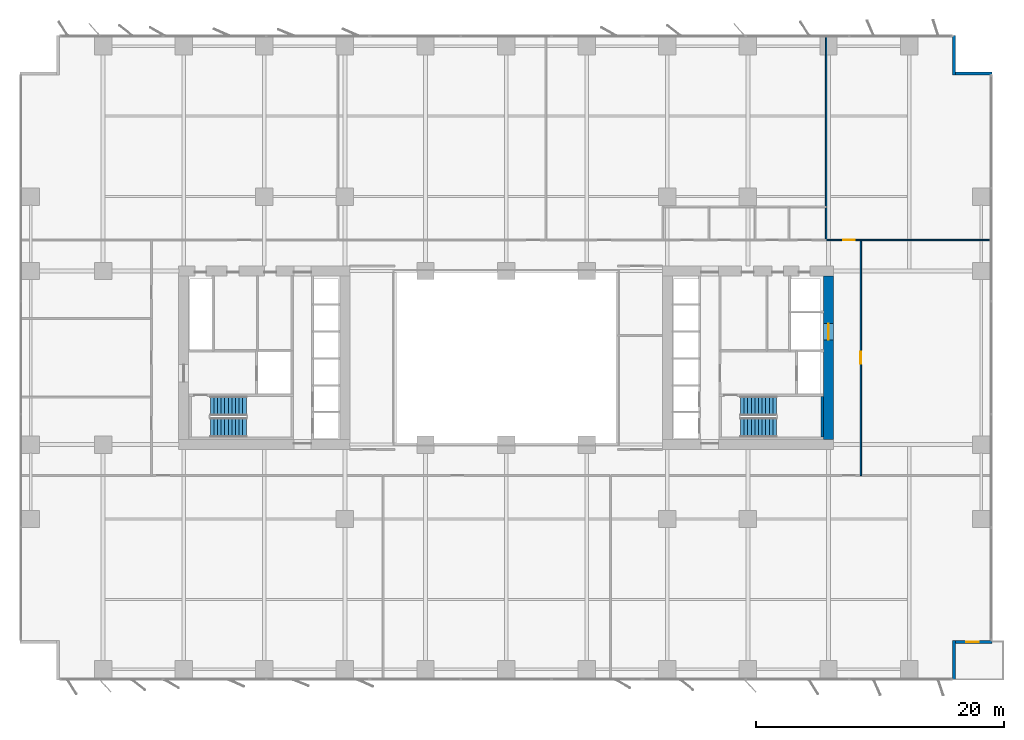
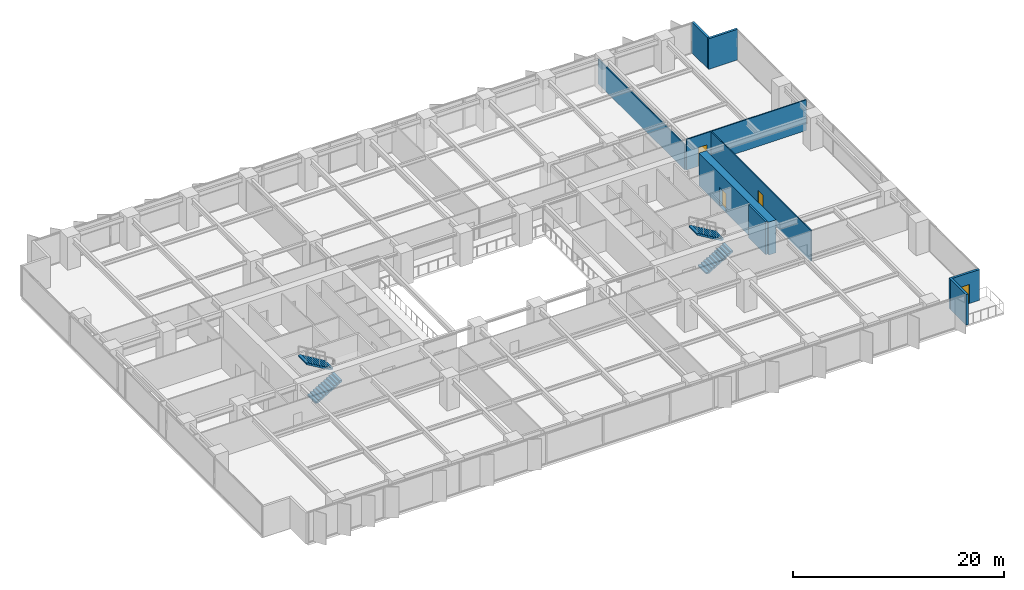
# One storey, part 16 of 20: 9 walls, 4 doors, 4 stair flights, 4 openings, 2 elements without a shape of their own.
"""IFC4 building model written with IfcOpenShell, lengths in metres."""

from ifc_helpers import new_model, si_unit, direction, frame, frame_2d, origin, place, context, subcontext, project, spatial, polyline, rectangle, outline, extrude, material, layer, layer_set, type_object, element, fill, aggregate, save


model = new_model("IFC4")

# Units and contexts
model_context = context("Model", 3, precision=1e-05, world=origin(), true_north=direction((0.0, 1.0)))
body_context = subcontext(model_context, "Body", "Model", "MODEL_VIEW")
ifc_project = project(units=[si_unit("LENGTHUNIT", "METRE"), si_unit("AREAUNIT", "SQUARE_METRE"), si_unit("VOLUMEUNIT", "CUBIC_METRE"), si_unit("PLANEANGLEUNIT", "RADIAN"), si_unit("MASSUNIT", "GRAM", prefix="KILO")], contexts=[model_context])

# Site, building, storey
site_placement = place(None, origin())
site = spatial("IfcSite", under=ifc_project, at=site_placement, CompositionType="ELEMENT")
building_placement = place(site_placement, origin())
building = spatial("IfcBuilding", under=site, at=building_placement, Name="Putna Gate Headquarters", CompositionType="ELEMENT")
storey_placement = place(building_placement, frame((0.0, 0.0, 50.60009765625)))
storey = spatial("IfcBuildingStorey", under=building, at=storey_placement, Name="L11", CompositionType="ELEMENT", Elevation=50.60009765625)

# Wall, opening, door
ifc_material_1 = material(Name="Concrete C60/75", Category="concrete")
ifc_layer_1 = layer(ifc_material_1, 0.800048828125)
ifc_layer_set_1 = layer_set([ifc_layer_1], Name="Concrete C60/75")
wall_type_1 = type_object("IfcWallType", Name="WALL-CORE-800", PredefinedType="SHEAR", material=ifc_layer_set_1)
wall_1_placement = place(storey_placement, frame((65.0, 19.39990234375, 0.0), z_axis=(0.0, 0.0, 1.0), x_axis=(0.0, 1.0, 0.0)))
wall_1 = element("IfcWall", 1, at=wall_1_placement, inside=storey, type_object=wall_type_1, Name="L11 EC Split Core Shear Wall E", PredefinedType="SHEAR", context=body_context, shape_type="SweptSolid", body=[
    extrude(rectangle(XDim=13.2001953125, YDim=0.800048828125, at=frame_2d((6.60009765625, 0.0))), origin(), (0.0, 0.0, 1.0), 3.7998046875),
])
opening_1_placement = place(wall_1_placement, frame((8.050048828125, 0.0, 0.0)))
opening_1 = element("IfcOpeningElement", 2, at=opening_1_placement, cuts=wall_1, Name="Opening LD-2", PredefinedType="OPENING", context=body_context, shape_type="SweptSolid", body=[
    extrude(rectangle(XDim=1.300048828125, YDim=2.199951171875, at=frame_2d((0.64990234375, 1.10009765625))), frame((0.0, 0.409912109375, 0.0), z_axis=(0.0, -1.0, 0.0), x_axis=(1.0, 0.0, 0.0)), (0.0, 0.0, 1.0), 0.820068359375),
])
ifc_material_2 = material(Name="Heavy-duty goods lift sliding landing door")
door_type_1 = type_object("IfcDoorType", Name="DOOR-LIFT-1300", OperationType="DOUBLE_DOOR_SLIDING", PredefinedType="DOOR", material=ifc_material_2)
door_1_placement = place(opening_1_placement, origin())
door_1 = element("IfcDoor", 3, at=door_1_placement, inside=storey, type_object=door_type_1, Name="L11 Goods Lift Landing Door LD-15", OperationType="DOUBLE_DOOR_SLIDING", OverallHeight=2.199951171875, OverallWidth=1.300048828125, PredefinedType="DOOR", context=body_context, shape_type="SweptSolid", body=[
    extrude(rectangle(XDim=1.300048828125, YDim=2.199951171875, at=frame_2d((0.64990234375, 1.10009765625))), frame((0.0, 0.02490234375, 0.0), z_axis=(0.0, -1.0, 0.0), x_axis=(1.0, 0.0, 0.0)), (0.0, 0.0, 1.0), 0.050048828125),
])
fill(opening_1, door_1)

# Walls
ifc_material_3 = material(Name="Precast concrete C40/50", Category="concrete")
ifc_layer_2 = layer(ifc_material_3, 0.239990234375)
ifc_layer_set_2 = layer_set([ifc_layer_2], Name="Precast concrete C40/50")
wall_type_2 = type_object("IfcWallType", Name="WALL-EXT-TERR-240", PredefinedType="STANDARD", material=ifc_layer_set_2)
for number, where, z_axis, x_axis, name in (
    (4, (75.1201171875, 52.0, 0.0), (0.0, 0.0, 1.0), (0.0, -1.0, 0.0), "L11 Corner Notch Return Wall NE-V"),
    (5, (75.0, 48.919921875, 0.0), (0.0, 0.0, 1.0), (1.0, 0.0, 0.0), "L11 Corner Notch Return Wall NE-H"),
    (6, (75.1201171875, 3.199951171875, 0.0), (0.0, 0.0, 1.0), (0.0, -1.0, 0.0), "L11 Corner Notch Return Wall SE-V"),
):
    element("IfcWall", number, at=place(storey_placement, frame(where, z_axis=z_axis, x_axis=x_axis)), inside=storey, type_object=wall_type_2, Name=name, PredefinedType="STANDARD", context=body_context, shape_type="SweptSolid", body=[
        extrude(rectangle(XDim=3.199951171875, YDim=0.239990234375, at=frame_2d((1.60009765625, 0.0))), origin(), (0.0, 0.0, 1.0), 3.5498046875),
    ])

# Wall, opening, door
wall_2_placement = place(storey_placement, frame((78.199951171875, 3.080078125, 0.0), z_axis=(0.0, 0.0, 1.0), x_axis=(-1.0, 0.0, 0.0)))
wall_2 = element("IfcWall", 7, at=wall_2_placement, inside=storey, type_object=wall_type_2, Name="L11 Corner Notch Return Wall SE-H", PredefinedType="STANDARD", context=body_context, shape_type="SweptSolid", body=[
    extrude(rectangle(XDim=3.199951171875, YDim=0.239990234375, at=frame_2d((1.60009765625, 0.0))), origin(), (0.0, 0.0, 1.0), 3.5498046875),
])
opening_2_placement = place(wall_2_placement, frame((1.10009765625, 0.0, 0.0)))
opening_2 = element("IfcOpeningElement", 8, at=opening_2_placement, cuts=wall_2, Name="Opening TRD-1", PredefinedType="OPENING", context=body_context, shape_type="SweptSolid", body=[
    extrude(rectangle(XDim=1.0, YDim=2.199951171875, at=frame_2d((0.5, 1.10009765625))), frame((0.0, 0.1298828125, 0.0), z_axis=(0.0, -1.0, 0.0), x_axis=(1.0, 0.0, 0.0)), (0.0, 0.0, 1.0), 0.260009765625),
])
ifc_material_4 = material(Name="Thermally broken bronze glazed terrace door")
door_type_2 = type_object("IfcDoorType", Name="DOOR-TERR-EXT-1000", OperationType="NOTDEFINED", PredefinedType="DOOR", material=ifc_material_4)
door_2_placement = place(opening_2_placement, origin())
door_2 = element("IfcDoor", 9, at=door_2_placement, inside=storey, type_object=door_type_2, Name="L11 Spiral Sky Terrace Door SE", OperationType="SINGLE_SWING_RIGHT", OverallHeight=2.199951171875, OverallWidth=1.0, PredefinedType="DOOR", context=body_context, shape_type="SweptSolid", body=[
    extrude(rectangle(XDim=1.0, YDim=2.199951171875, at=frame_2d((0.5, 1.10009765625))), frame((0.0, 0.02490234375, 0.0), z_axis=(0.0, -1.0, 0.0), x_axis=(1.0, 0.0, 0.0)), (0.0, 0.0, 1.0), 0.050048828125),
])
fill(opening_2, door_2)

# Wall
ifc_material_5 = material(Name="Acoustic gypsum board on metal stud")
ifc_layer_3 = layer(ifc_material_5, 0.1201171875)
ifc_layer_set_3 = layer_set([ifc_layer_3], Name="Acoustic gypsum board on metal stud")
wall_type_3 = type_object("IfcWallType", Name="WALL-PART-120", PredefinedType="PARTITIONING", material=ifc_layer_set_3)
wall_3_placement = place(storey_placement, frame((64.800048828125, 35.56005859375, 0.0), z_axis=(0.0, 0.0, 1.0), x_axis=(0.0, 1.0, 0.0)))
element("IfcWall", 10, at=wall_3_placement, inside=storey, type_object=wall_type_3, Name="L11 Interior Wall PART-L11-NB-DIV-03", PredefinedType="PARTITIONING", context=body_context, shape_type="SweptSolid", body=[
    extrude(rectangle(XDim=16.419921875, YDim=0.1201171875, at=frame_2d((8.2099609375, 0.0))), origin(), (0.0, 0.0, 1.0), 2.89990234375),
])

# Wall, opening, door
ifc_material_6 = material(Name="Fire-rated gypsum board on metal stud")
ifc_layer_4 = layer(ifc_material_6, 0.1201171875)
ifc_layer_set_4 = layer_set([ifc_layer_4], Name="Fire-rated gypsum board on metal stud")
wall_type_4 = type_object("IfcWallType", Name="WALL-PART-120-RATED", PredefinedType="PARTITIONING", material=ifc_layer_set_4)
wall_4_placement = place(storey_placement, frame((64.860107421875, 35.5, 0.0), z_axis=(0.0, 0.0, 1.0), x_axis=(1.0, 0.0, 0.0)))
wall_4 = element("IfcWall", 11, at=wall_4_placement, inside=storey, type_object=wall_type_4, Name="L11 Interior Wall PART-L11-NB-CW-04", PredefinedType="PARTITIONING", context=body_context, shape_type="SweptSolid", body=[
    extrude(rectangle(XDim=13.159912109375, YDim=0.1201171875, at=frame_2d((6.580078125, 0.0))), origin(), (0.0, 0.0, 1.0), 3.5498046875),
])
opening_3_placement = place(wall_4_placement, frame((1.31005859375, 0.0, 0.0)))
opening_3 = element("IfcOpeningElement", 12, at=opening_3_placement, cuts=wall_4, Name="Opening FD-95", PredefinedType="OPENING", context=body_context, shape_type="SweptSolid", body=[
    extrude(rectangle(XDim=0.949951171875, YDim=2.14990234375, at=frame_2d((0.47509765625, 1.074951171875))), frame((0.0, 0.070068359375, 0.0), z_axis=(0.0, -1.0, 0.0), x_axis=(1.0, 0.0, 0.0)), (0.0, 0.0, 1.0), 0.14013671875),
])
ifc_material_7 = material(Name="Acoustic timber fire door", Category="wood")
door_type_3 = type_object("IfcDoorType", Name="DOOR-FIRE-950", OperationType="NOTDEFINED", PredefinedType="DOOR", material=ifc_material_7)
door_3_placement = place(opening_3_placement, origin())
door_3 = element("IfcDoor", 13, at=door_3_placement, inside=storey, type_object=door_type_3, Name="L11 Cellular Office 2 Door", OperationType="SINGLE_SWING_LEFT", OverallHeight=2.14990234375, OverallWidth=0.949951171875, PredefinedType="DOOR", context=body_context, shape_type="SweptSolid", body=[
    extrude(rectangle(XDim=0.949951171875, YDim=2.14990234375, at=frame_2d((0.47509765625, 1.074951171875))), frame((0.0, 0.02490234375, 0.0), z_axis=(0.0, -1.0, 0.0), x_axis=(1.0, 0.0, 0.0)), (0.0, 0.0, 1.0), 0.050048828125),
])
fill(opening_3, door_3)

wall_5_placement = place(storey_placement, frame((67.60009765625, 16.5, 0.0), z_axis=(0.0, 0.0, 1.0), x_axis=(0.0, 1.0, 0.0)))
wall_5 = element("IfcWall", 14, at=wall_5_placement, inside=storey, type_object=wall_type_4, Name="L11 Interior Wall PART-L11-EW-CW-1", PredefinedType="PARTITIONING", context=body_context, shape_type="SweptSolid", body=[
    extrude(rectangle(XDim=19.0, YDim=0.1201171875, at=frame_2d((9.5, 0.0))), origin(), (0.0, 0.0, 1.0), 3.5498046875),
])
opening_4_placement = place(wall_5_placement, frame((9.02490234375, 0.0, 0.0)))
opening_4 = element("IfcOpeningElement", 15, at=opening_4_placement, cuts=wall_5, Name="Opening FD-95", PredefinedType="OPENING", context=body_context, shape_type="SweptSolid", body=[
    extrude(rectangle(XDim=0.949951171875, YDim=2.14990234375, at=frame_2d((0.47509765625, 1.074951171875))), frame((0.0, 0.070068359375, 0.0), z_axis=(0.0, -1.0, 0.0), x_axis=(1.0, 0.0, 0.0)), (0.0, 0.0, 1.0), 0.14013671875),
])
door_4_placement = place(opening_4_placement, origin())
door_4 = element("IfcDoor", 16, at=door_4_placement, inside=storey, type_object=door_type_3, Name="L11 East Horizon Conference Room 1 Door", OperationType="SINGLE_SWING_RIGHT", OverallHeight=2.14990234375, OverallWidth=0.949951171875, PredefinedType="DOOR", context=body_context, shape_type="SweptSolid", body=[
    extrude(rectangle(XDim=0.949951171875, YDim=2.14990234375, at=frame_2d((0.47509765625, 1.074951171875))), frame((0.0, 0.02490234375, 0.0), z_axis=(0.0, -1.0, 0.0), x_axis=(1.0, 0.0, 0.0)), (0.0, 0.0, 1.0), 0.050048828125),
])
fill(opening_4, door_4)

# Wall
ifc_material_8 = material(Name="Concrete C40/50", Category="concrete")
ifc_layer_5 = layer(ifc_material_8, 0.199951171875)
ifc_layer_set_5 = layer_set([ifc_layer_5], Name="Concrete C40/50")
wall_type_5 = type_object("IfcWallType", Name="WALL-SHAFT-RC200", PredefinedType="SHEAR", material=ifc_layer_set_5)
wall_6_placement = place(storey_placement, frame((64.489990234375, 19.610107421875, 0.0), z_axis=(0.0, 0.0, 1.0), x_axis=(0.0, 1.0, 0.0)))
element("IfcWall", 17, at=wall_6_placement, inside=storey, type_object=wall_type_5, Name="L11 Stair ST2 Structural Shaft Wall E", PredefinedType="SHEAR", context=body_context, shape_type="SweptSolid", body=[
    extrude(rectangle(XDim=3.27978515625, YDim=0.199951171875, at=frame_2d((1.639892578125, 0.0))), origin(), (0.0, 0.0, 1.0), 3.7998046875),
])

# Stair, stair flights
stair_type_1 = type_object("IfcStairType", Name="STAIR-ST1", PredefinedType="HALF_TURN_STAIR", material=ifc_material_8)
stair_1_placement = place(storey_placement, origin())
stair_1 = element("IfcStair", 18, at=stair_1_placement, inside=storey, type_object=stair_type_1, Name="L11 West Core Exit Stair ST1", PredefinedType="HALF_TURN_STAIR")
stair_flight_type_1 = type_object("IfcStairFlightType", Name="FLIGHT-ST1", PredefinedType="STRAIGHT", material=ifc_material_8)
stair_flight_1_placement = place(storey_placement, frame((15.14990234375, 20.375, 0.0), z_axis=(0.0, 0.0, 1.0), x_axis=(1.0, 0.0, 0.0)))
stair_flight_1 = element("IfcStairFlight", 19, at=stair_flight_1_placement, type_object=stair_flight_type_1, Name="ST1 flight 1", NumberOfRisers=11, NumberOfTreads=10, PredefinedType="STRAIGHT", RiserHeight=0.172727273, TreadLength=0.29, context=body_context, shape_type="SweptSolid", body=[
    extrude(outline(polyline([(0.0, 0.0), (0.0, 0.172607421875), (0.2900390625, 0.172607421875), (0.2900390625, 0.345458984375), (0.580078125, 0.345458984375), (0.580078125, 0.51806640625), (0.8701171875, 0.51806640625), (0.8701171875, 0.69091796875), (1.159912109375, 0.69091796875), (1.159912109375, 0.863525390625), (1.449951171875, 0.863525390625), (1.449951171875, 1.036376953125), (1.739990234375, 1.036376953125), (1.739990234375, 1.208984375), (2.030029296875, 1.208984375), (2.030029296875, 1.3818359375), (2.320068359375, 1.3818359375), (2.320068359375, 1.554443359375), (2.610107421875, 1.554443359375), (2.610107421875, 1.727294921875), (2.89990234375, 1.727294921875), (2.89990234375, 1.89990234375), (2.89990234375, 1.552734375), (0.29296875, 0.0), (0.0, 0.0)])), frame((0.0, 0.77490234375, 0.0), z_axis=(0.0, -1.0, 0.0), x_axis=(1.0, 0.0, 0.0)), (0.0, 0.0, 1.0), 1.550048828125),
])
stair_flight_2_placement = place(storey_placement, frame((18.050048828125, 22.125, 1.89990234375), z_axis=(0.0, 0.0, 1.0), x_axis=(-1.0, 0.0, 0.0)))
stair_flight_2 = element("IfcStairFlight", 20, at=stair_flight_2_placement, type_object=stair_flight_type_1, Name="ST1 flight 2", NumberOfRisers=11, NumberOfTreads=10, PredefinedType="STRAIGHT", RiserHeight=0.172727273, TreadLength=0.29, context=body_context, shape_type="SweptSolid", body=[
    extrude(outline(polyline([(0.0, 0.0), (0.0, 0.172607421875), (0.2900390625, 0.172607421875), (0.2900390625, 0.345458984375), (0.580078125, 0.345458984375), (0.580078125, 0.51806640625), (0.8701171875, 0.51806640625), (0.8701171875, 0.69091796875), (1.159912109375, 0.69091796875), (1.159912109375, 0.863525390625), (1.449951171875, 0.863525390625), (1.449951171875, 1.036376953125), (1.739990234375, 1.036376953125), (1.739990234375, 1.208984375), (2.030029296875, 1.208984375), (2.030029296875, 1.3818359375), (2.320068359375, 1.3818359375), (2.320068359375, 1.554443359375), (2.610107421875, 1.554443359375), (2.610107421875, 1.727294921875), (2.89990234375, 1.727294921875), (2.89990234375, 1.89990234375), (2.89990234375, 1.552734375), (0.29296875, 0.0), (0.0, 0.0)])), frame((0.0, 0.77490234375, 0.0), z_axis=(0.0, -1.0, 0.0), x_axis=(1.0, 0.0, 0.0)), (0.0, 0.0, 1.0), 1.550048828125),
])
aggregate(stair_1, [stair_flight_1, stair_flight_2])

stair_type_2 = type_object("IfcStairType", Name="STAIR-ST2", PredefinedType="HALF_TURN_STAIR", material=ifc_material_8)
stair_2_placement = place(storey_placement, origin())
stair_2 = element("IfcStair", 21, at=stair_2_placement, inside=storey, type_object=stair_type_2, Name="L11 East Core Exit Stair ST2", PredefinedType="HALF_TURN_STAIR")
stair_flight_type_2 = type_object("IfcStairFlightType", Name="FLIGHT-ST2", PredefinedType="STRAIGHT", material=ifc_material_8)
stair_flight_3_placement = place(storey_placement, frame((57.89990234375, 20.375, 0.0), z_axis=(0.0, 0.0, 1.0), x_axis=(1.0, 0.0, 0.0)))
stair_flight_3 = element("IfcStairFlight", 22, at=stair_flight_3_placement, type_object=stair_flight_type_2, Name="ST2 flight 1", NumberOfRisers=11, NumberOfTreads=10, PredefinedType="STRAIGHT", RiserHeight=0.172727273, TreadLength=0.29, context=body_context, shape_type="SweptSolid", body=[
    extrude(outline(polyline([(0.0, 0.0), (0.0, 0.172607421875), (0.2900390625, 0.172607421875), (0.2900390625, 0.345458984375), (0.580078125, 0.345458984375), (0.580078125, 0.51806640625), (0.8701171875, 0.51806640625), (0.8701171875, 0.69091796875), (1.159912109375, 0.69091796875), (1.159912109375, 0.863525390625), (1.449951171875, 0.863525390625), (1.449951171875, 1.036376953125), (1.739990234375, 1.036376953125), (1.739990234375, 1.208984375), (2.030029296875, 1.208984375), (2.030029296875, 1.3818359375), (2.320068359375, 1.3818359375), (2.320068359375, 1.554443359375), (2.610107421875, 1.554443359375), (2.610107421875, 1.727294921875), (2.89990234375, 1.727294921875), (2.89990234375, 1.89990234375), (2.89990234375, 1.552734375), (0.29296875, 0.0), (0.0, 0.0)])), frame((0.0, 0.77490234375, 0.0), z_axis=(0.0, -1.0, 0.0), x_axis=(1.0, 0.0, 0.0)), (0.0, 0.0, 1.0), 1.550048828125),
])
stair_flight_4_placement = place(storey_placement, frame((60.800048828125, 22.125, 1.89990234375), z_axis=(0.0, 0.0, 1.0), x_axis=(-1.0, 0.0, 0.0)))
stair_flight_4 = element("IfcStairFlight", 23, at=stair_flight_4_placement, type_object=stair_flight_type_2, Name="ST2 flight 2", NumberOfRisers=11, NumberOfTreads=10, PredefinedType="STRAIGHT", RiserHeight=0.172727273, TreadLength=0.29, context=body_context, shape_type="SweptSolid", body=[
    extrude(outline(polyline([(0.0, 0.0), (0.0, 0.172607421875), (0.2900390625, 0.172607421875), (0.2900390625, 0.345458984375), (0.580078125, 0.345458984375), (0.580078125, 0.51806640625), (0.8701171875, 0.51806640625), (0.8701171875, 0.69091796875), (1.159912109375, 0.69091796875), (1.159912109375, 0.863525390625), (1.449951171875, 0.863525390625), (1.449951171875, 1.036376953125), (1.739990234375, 1.036376953125), (1.739990234375, 1.208984375), (2.030029296875, 1.208984375), (2.030029296875, 1.3818359375), (2.320068359375, 1.3818359375), (2.320068359375, 1.554443359375), (2.610107421875, 1.554443359375), (2.610107421875, 1.727294921875), (2.89990234375, 1.727294921875), (2.89990234375, 1.89990234375), (2.89990234375, 1.552734375), (0.29296875, 0.0), (0.0, 0.0)])), frame((0.0, 0.77490234375, 0.0), z_axis=(0.0, -1.0, 0.0), x_axis=(1.0, 0.0, 0.0)), (0.0, 0.0, 1.0), 1.550048828125),
])
aggregate(stair_2, [stair_flight_3, stair_flight_4])

save(model, "model.ifc")
